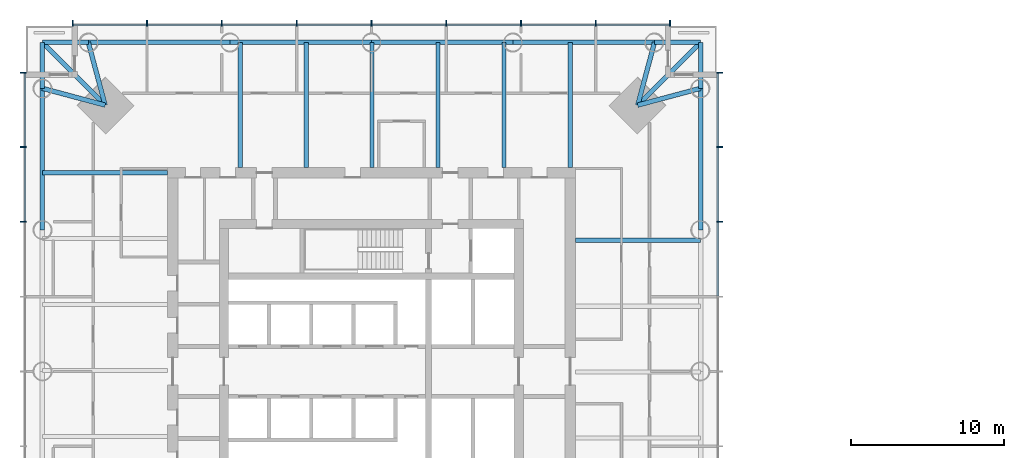
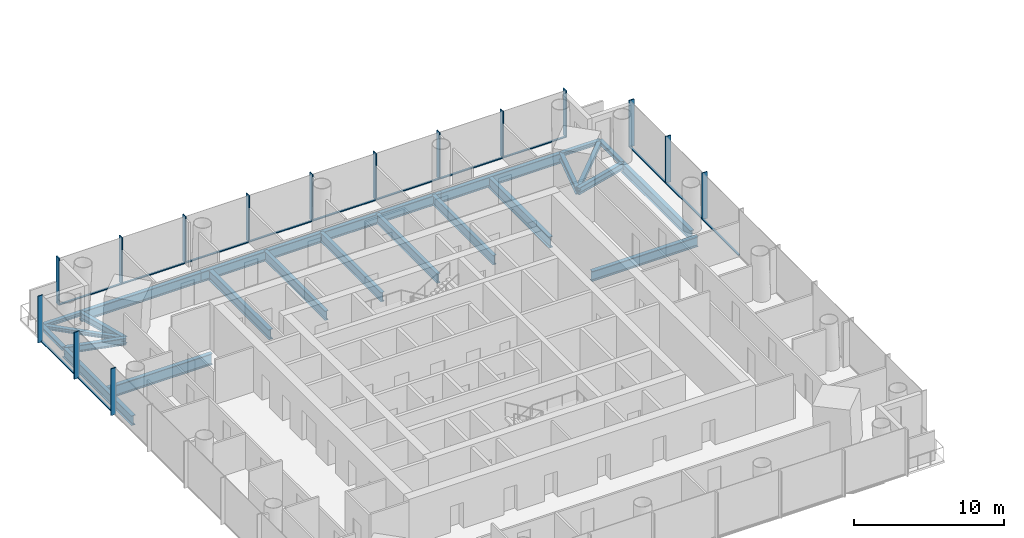
# One storey, part 3 of 20: 28 members, 24 beams, 3 elements without a shape of their own.
"""IFC4 building model written with IfcOpenShell, lengths in metres."""

from ifc_helpers import new_model, si_unit, direction, frame, origin, origin_2d, place, context, subcontext, project, spatial, rectangle, i_section, extrude, material, material_profile, profile_set, type_object, element, aggregate, save


model = new_model("IFC4")

# Units and contexts
model_context = context("Model", 3, precision=1e-05, world=origin(), true_north=direction((0.0, 1.0)))
body_context = subcontext(model_context, "Body", "Model", "MODEL_VIEW")
ifc_project = project(units=[si_unit("LENGTHUNIT", "METRE"), si_unit("AREAUNIT", "SQUARE_METRE"), si_unit("VOLUMEUNIT", "CUBIC_METRE"), si_unit("PLANEANGLEUNIT", "RADIAN"), si_unit("MASSUNIT", "GRAM", prefix="KILO")], contexts=[model_context])

# Site, building, storey
site_placement = place(None, origin())
site = spatial("IfcSite", under=ifc_project, at=site_placement, CompositionType="ELEMENT")
building_placement = place(site_placement, origin())
building = spatial("IfcBuilding", under=site, at=building_placement, Name="Ostroluk Exchange", CompositionType="ELEMENT")
storey_placement = place(building_placement, frame((0.0, 0.0, 100.800048828125)))
storey = spatial("IfcBuildingStorey", under=building, at=storey_placement, Name="L25", CompositionType="ELEMENT", Elevation=100.800048828125)

# Beams
ifc_material_1 = material(Name="Steel S355", Category="steel")
ifc_material_profile_1 = material_profile(ifc_material_1, i_section(OverallWidth=0.300048828125, OverallDepth=0.300048828125, WebThickness=0.010986328125, FlangeThickness=0.01904296875, FilletRadius=0.027099609375, at=origin_2d()), Name="HEB 300")
ifc_profile_set_1 = profile_set([ifc_material_profile_1], Name="Steel S355")
beam_type_1 = type_object("IfcBeamType", Name="Balcony beam HEB 300", PredefinedType="BEAM", material=ifc_profile_set_1)
for number, where, z_axis, x_axis, name in (
    (1, (66.449951171875, 64.449951171875, -0.330078125), (0.0, 1.0, 0.0), (-1.0, 0.0, 0.0), "T1 east balcony beam a"),
    (2, (63.449951171875, 67.449951171875, -0.330078125), (1.0, 0.0, 0.0), (0.0, 1.0, 0.0), "T1 east balcony beam b"),
):
    element("IfcBeam", number, at=place(storey_placement, frame(where, z_axis=z_axis, x_axis=x_axis)), inside=storey, type_object=beam_type_1, Name=name, PredefinedType="BEAM", context=body_context, shape_type="SweptSolid", body=[
        extrude(i_section(OverallWidth=0.300048828125, OverallDepth=0.300048828125, WebThickness=0.010986328125, FlangeThickness=0.01904296875, FilletRadius=0.027099609375, at=origin_2d()), origin(), (0.0, 0.0, 1.0), 3.0),
    ])
beam_1_placement = place(storey_placement, frame((62.35009765625, 63.35009765625, -0.330078125), z_axis=(0.707106781187, 0.707106781187, 0.0), x_axis=(-0.707106781187, 0.707106781187, 0.0)))
element("IfcBeam", 3, at=beam_1_placement, inside=storey, type_object=beam_type_1, Name="T1 east balcony beam c", PredefinedType="BEAM", context=body_context, shape_type="SweptSolid", body=[
    extrude(i_section(OverallWidth=0.300048828125, OverallDepth=0.300048828125, WebThickness=0.010986328125, FlangeThickness=0.01904296875, FilletRadius=0.027099609375, at=origin_2d()), origin(), (0.0, 0.0, 1.0), 5.798095703125),
])
for number, where, z_axis, x_axis, name in (
    (4, (26.550048828125, 67.449951171875, -0.330078125), (-1.0, 0.0, 0.0), (0.0, -1.0, 0.0), "T1 north balcony beam a"),
    (5, (23.550048828125, 64.449951171875, -0.330078125), (0.0, 1.0, 0.0), (-1.0, 0.0, 0.0), "T1 north balcony beam b"),
):
    element("IfcBeam", number, at=place(storey_placement, frame(where, z_axis=z_axis, x_axis=x_axis)), inside=storey, type_object=beam_type_1, Name=name, PredefinedType="BEAM", context=body_context, shape_type="SweptSolid", body=[
        extrude(i_section(OverallWidth=0.300048828125, OverallDepth=0.300048828125, WebThickness=0.010986328125, FlangeThickness=0.01904296875, FilletRadius=0.027099609375, at=origin_2d()), origin(), (0.0, 0.0, 1.0), 3.0),
    ])
beam_2_placement = place(storey_placement, frame((27.64990234375, 63.35009765625, -0.330078125), z_axis=(-0.707106781187, 0.707106781187, 0.0), x_axis=(-0.707106781187, -0.707106781187, 0.0)))
element("IfcBeam", 6, at=beam_2_placement, inside=storey, type_object=beam_type_1, Name="T1 north balcony beam c", PredefinedType="BEAM", context=body_context, shape_type="SweptSolid", body=[
    extrude(i_section(OverallWidth=0.300048828125, OverallDepth=0.300048828125, WebThickness=0.010986328125, FlangeThickness=0.01904296875, FilletRadius=0.027099609375, at=origin_2d()), origin(), (0.0, 0.0, 1.0), 5.798095703125),
])
ifc_material_2 = material(Name="Steel S355", Category="steel")
ifc_material_profile_2 = material_profile(ifc_material_2, i_section(OverallWidth=0.300048828125, OverallDepth=0.550048828125, WebThickness=0.014892578125, FlangeThickness=0.029052734375, FilletRadius=0.027099609375, at=origin_2d()), Name="HEB 550")
ifc_profile_set_2 = profile_set([ifc_material_profile_2], Name="Steel S355")
beam_type_2 = type_object("IfcBeamType", Name="Corner edge beam HEB 550", PredefinedType="SPANDREL", material=ifc_profile_set_2)
for number, where, z_axis, x_axis, name in (
    (7, (62.35009765625, 63.35009765625, -0.455078125), (0.965849156574, 0.259105011038, 0.0), (-0.259105011038, 0.965849156574, 0.0), "T1 east corner edge beam a"),
    (8, (62.35009765625, 63.35009765625, -0.455078125), (0.259105011038, 0.965849156574, 0.0), (-0.965849156574, 0.259105011038, 0.0), "T1 east corner edge beam b"),
    (9, (27.64990234375, 63.35009765625, -0.455078125), (-0.259105011038, 0.965849156574, 0.0), (-0.965849156574, -0.259105011038, 0.0), "T1 north corner edge beam a"),
    (10, (27.64990234375, 63.35009765625, -0.455078125), (-0.965849156574, 0.259105011038, 0.0), (-0.259105011038, -0.965849156574, 0.0), "T1 north corner edge beam b"),
):
    element("IfcBeam", number, at=place(storey_placement, frame(where, z_axis=z_axis, x_axis=x_axis)), inside=storey, type_object=beam_type_2, Name=name, PredefinedType="SPANDREL", context=body_context, shape_type="SweptSolid", body=[
        extrude(i_section(OverallWidth=0.300048828125, OverallDepth=0.550048828125, WebThickness=0.014892578125, FlangeThickness=0.029052734375, FilletRadius=0.027099609375, at=origin_2d()), origin(), (0.0, 0.0, 1.0), 4.244873046875),
    ])
ifc_material_3 = material(Name="Steel S355", Category="steel")
ifc_material_profile_3 = material_profile(ifc_material_3, i_section(OverallWidth=0.302978515625, OverallDepth=0.81396484375, WebThickness=0.02099609375, FlangeThickness=0.0400390625, FilletRadius=0.030029296875, at=origin_2d()), Name="HEM 800")
ifc_profile_set_3 = profile_set([ifc_material_profile_3], Name="Steel S355")
beam_type_3 = type_object("IfcBeamType", Name="Floor beam HEM 800", PredefinedType="BEAM", material=ifc_profile_set_3)
for number, where, z_axis, x_axis, name in (
    (11, (58.300048828125, 54.550048828125, -0.587158203125), (1.0, 0.0, 0.0), (0.0, 1.0, 0.0), "T1 east floor beam 5"),
    (12, (36.449951171875, 59.300048828125, -0.587158203125), (0.0, 1.0, 0.0), (-1.0, 0.0, 0.0), "T1 north floor beam 5"),
):
    element("IfcBeam", number, at=place(storey_placement, frame(where, z_axis=z_axis, x_axis=x_axis)), inside=storey, type_object=beam_type_3, Name=name, PredefinedType="BEAM", context=body_context, shape_type="SweptSolid", body=[
        extrude(i_section(OverallWidth=0.302978515625, OverallDepth=0.81396484375, WebThickness=0.02099609375, FlangeThickness=0.0400390625, FilletRadius=0.030029296875, at=origin_2d()), origin(), (0.0, 0.0, 1.0), 8.14990234375),
    ])
ifc_material_4 = material(Name="Steel S355", Category="steel")
ifc_material_profile_4 = material_profile(ifc_material_4, i_section(OverallWidth=0.26708984375, OverallDepth=0.761962890625, WebThickness=0.014404296875, FlangeThickness=0.021484375, FilletRadius=0.01708984375, at=origin_2d()), Name="IPE 750x173")
ifc_profile_set_4 = profile_set([ifc_material_profile_4], Name="Steel S355")
beam_type_4 = type_object("IfcBeamType", Name="Floor beam IPE 750x173", PredefinedType="BEAM", material=ifc_profile_set_4)
for number, where, z_axis, x_axis, name in (
    (13, (53.64990234375, 59.300048828125, -0.56103515625), (0.0, 1.0, 0.0), (-1.0, 0.0, 0.0), "T1 north floor beam 1"),
    (14, (49.35009765625, 59.300048828125, -0.56103515625), (0.0, 1.0, 0.0), (-1.0, 0.0, 0.0), "T1 north floor beam 2"),
    (15, (45.050048828125, 59.300048828125, -0.56103515625), (0.0, 1.0, 0.0), (-1.0, 0.0, 0.0), "T1 north floor beam 3"),
    (16, (40.75, 59.300048828125, -0.56103515625), (0.0, 1.0, 0.0), (-1.0, 0.0, 0.0), "T1 north floor beam 4"),
):
    element("IfcBeam", number, at=place(storey_placement, frame(where, z_axis=z_axis, x_axis=x_axis)), inside=storey, type_object=beam_type_4, Name=name, PredefinedType="BEAM", context=body_context, shape_type="SweptSolid", body=[
        extrude(i_section(OverallWidth=0.26708984375, OverallDepth=0.761962890625, WebThickness=0.014404296875, FlangeThickness=0.021484375, FilletRadius=0.01708984375, at=origin_2d()), origin(), (0.0, 0.0, 1.0), 8.14990234375),
    ])
ifc_material_5 = material(Name="Steel S355", Category="steel")
ifc_material_profile_5 = material_profile(ifc_material_5, i_section(OverallWidth=0.300048828125, OverallDepth=0.89990234375, WebThickness=0.0185546875, FlangeThickness=0.034912109375, FilletRadius=0.030029296875, at=origin_2d()), Name="HEB 900")
ifc_profile_set_5 = profile_set([ifc_material_profile_5], Name="Steel S355")
beam_type_5 = type_object("IfcBeamType", Name="Girder HEB 900", PredefinedType="BEAM", material=ifc_profile_set_5)
for number, where, z_axis, x_axis, name in (
    (17, (57.949951171875, 59.300048828125, -0.630126953125), (0.0, 1.0, 0.0), (-1.0, 0.0, 0.0), "T1 east girder"),
    (18, (31.699951171875, 58.949951171875, -0.630126953125), (-1.0, 0.0, 0.0), (0.0, -1.0, 0.0), "T1 north girder"),
):
    element("IfcBeam", number, at=place(storey_placement, frame(where, z_axis=z_axis, x_axis=x_axis)), inside=storey, type_object=beam_type_5, Name=name, PredefinedType="BEAM", context=body_context, shape_type="SweptSolid", body=[
        extrude(i_section(OverallWidth=0.300048828125, OverallDepth=0.89990234375, WebThickness=0.0185546875, FlangeThickness=0.034912109375, FilletRadius=0.030029296875, at=origin_2d()), origin(), (0.0, 0.0, 1.0), 8.14990234375),
    ])
ifc_material_6 = material(Name="Steel S355", Category="steel")
ifc_material_profile_6 = material_profile(ifc_material_6, i_section(OverallWidth=0.300048828125, OverallDepth=0.800048828125, WebThickness=0.017578125, FlangeThickness=0.032958984375, FilletRadius=0.030029296875, at=origin_2d()), Name="HEB 800")
ifc_profile_set_6 = profile_set([ifc_material_profile_6], Name="Steel S355")
beam_type_6 = type_object("IfcBeamType", Name="Moment-connected edge beam HEB 800", PredefinedType="SPANDREL", material=ifc_profile_set_6)
for number, where, z_axis, x_axis, name in (
    (19, (66.449951171875, 55.22509765625, -0.580078125), (0.0, 1.0, 0.0), (-1.0, 0.0, 0.0), "T1 east edge beam 4"),
    (20, (63.449951171875, 67.449951171875, -0.580078125), (-1.0, 0.0, 0.0), (0.0, -1.0, 0.0), "T1 north edge beam 1"),
):
    element("IfcBeam", number, at=place(storey_placement, frame(where, z_axis=z_axis, x_axis=x_axis)), inside=storey, type_object=beam_type_6, Name=name, PredefinedType="SPANDREL", context=body_context, shape_type="SweptSolid", body=[
        extrude(i_section(OverallWidth=0.300048828125, OverallDepth=0.800048828125, WebThickness=0.017578125, FlangeThickness=0.032958984375, FilletRadius=0.030029296875, at=origin_2d()), origin(), (0.0, 0.0, 1.0), 9.224853515625),
    ])
for number, where, z_axis, x_axis, name in (
    (21, (54.22509765625, 67.449951171875, -0.580078125), (-1.0, 0.0, 0.0), (0.0, -1.0, 0.0), "T1 north edge beam 2"),
    (22, (45.0, 67.449951171875, -0.580078125), (-1.0, 0.0, 0.0), (0.0, -1.0, 0.0), "T1 north edge beam 3"),
):
    element("IfcBeam", number, at=place(storey_placement, frame(where, z_axis=z_axis, x_axis=x_axis)), inside=storey, type_object=beam_type_6, Name=name, PredefinedType="SPANDREL", context=body_context, shape_type="SweptSolid", body=[
        extrude(i_section(OverallWidth=0.300048828125, OverallDepth=0.800048828125, WebThickness=0.017578125, FlangeThickness=0.032958984375, FilletRadius=0.030029296875, at=origin_2d()), origin(), (0.0, 0.0, 1.0), 9.22509765625),
    ])
for number, where, z_axis, x_axis, name in (
    (23, (35.77490234375, 67.449951171875, -0.580078125), (-1.0, 0.0, 0.0), (0.0, -1.0, 0.0), "T1 north edge beam 4"),
    (24, (23.550048828125, 64.449951171875, -0.580078125), (0.0, -1.0, 0.0), (1.0, 0.0, 0.0), "T1 west edge beam 1"),
):
    element("IfcBeam", number, at=place(storey_placement, frame(where, z_axis=z_axis, x_axis=x_axis)), inside=storey, type_object=beam_type_6, Name=name, PredefinedType="SPANDREL", context=body_context, shape_type="SweptSolid", body=[
        extrude(i_section(OverallWidth=0.300048828125, OverallDepth=0.800048828125, WebThickness=0.017578125, FlangeThickness=0.032958984375, FilletRadius=0.030029296875, at=origin_2d()), origin(), (0.0, 0.0, 1.0), 9.224853515625),
    ])

# Curtain wall, members
ifc_material_7 = material(Name="Laminated clear glass", Category="glass")
curtain_wall_type = type_object("IfcCurtainWallType", Name="Office tower facade", PredefinedType="USERDEFINED", material=ifc_material_7)
curtain_wall_1_placement = place(storey_placement, origin())
curtain_wall_1 = element("IfcCurtainWall", 25, at=curtain_wall_1_placement, inside=storey, type_object=curtain_wall_type, Name="Office tower east facade L25", ObjectType="UNITISED CURTAIN WALL", PredefinedType="USERDEFINED")
ifc_material_8 = material(Name="Aluminium mullion", Category="aluminium")
ifc_material_profile_7 = material_profile(ifc_material_8, rectangle(XDim=0.14990234375, YDim=0.080078125, at=origin_2d()), Name="Sill transom 80 x 150")
ifc_profile_set_7 = profile_set([ifc_material_profile_7], Name="Aluminium mullion")
member_type_1 = type_object("IfcMemberType", Name="Sill transom 80 x 150", PredefinedType="USERDEFINED", material=ifc_profile_set_7)
member_1_placement = place(storey_placement, frame((67.574951171875, 50.9150390625, 0.0400390625), z_axis=(0.0, 1.0, 0.0), x_axis=(-1.0, 0.0, 0.0)))
member_1 = element("IfcMember", 26, at=member_1_placement, type_object=member_type_1, Name="CW-O1 transom 6.1", ObjectType="TRANSOM", PredefinedType="USERDEFINED", context=body_context, shape_type="SweptSolid", body=[
    extrude(rectangle(XDim=0.14990234375, YDim=0.080078125, at=origin_2d()), origin(), (0.0, 0.0, 1.0), 4.794921875),
])
member_2_placement = place(storey_placement, frame((67.574951171875, 55.7900390625, 0.0400390625), z_axis=(0.0, 1.0, 0.0), x_axis=(-1.0, 0.0, 0.0)))
member_2 = element("IfcMember", 27, at=member_2_placement, type_object=member_type_1, Name="CW-O1 transom 7.1", ObjectType="TRANSOM", PredefinedType="USERDEFINED", context=body_context, shape_type="SweptSolid", body=[
    extrude(rectangle(XDim=0.14990234375, YDim=0.080078125, at=origin_2d()), origin(), (0.0, 0.0, 1.0), 4.794921875),
])
member_3_placement = place(storey_placement, frame((67.574951171875, 60.6650390625, 0.0400390625), z_axis=(0.0, 1.0, 0.0), x_axis=(-1.0, 0.0, 0.0)))
member_3 = element("IfcMember", 28, at=member_3_placement, type_object=member_type_1, Name="CW-O1 transom 8.1", ObjectType="TRANSOM", PredefinedType="USERDEFINED", context=body_context, shape_type="SweptSolid", body=[
    extrude(rectangle(XDim=0.14990234375, YDim=0.080078125, at=origin_2d()), origin(), (0.0, 0.0, 1.0), 4.7548828125),
])

curtain_wall_2_placement = place(storey_placement, origin())
curtain_wall_2 = element("IfcCurtainWall", 29, at=curtain_wall_2_placement, inside=storey, type_object=curtain_wall_type, Name="Office tower north facade L25", ObjectType="UNITISED CURTAIN WALL", PredefinedType="USERDEFINED")
member_4_placement = place(storey_placement, frame((64.419921875, 68.574951171875, 0.0400390625), z_axis=(-1.0, 0.0, 0.0), x_axis=(0.0, -1.0, 0.0)))
member_4 = element("IfcMember", 30, at=member_4_placement, type_object=member_type_1, Name="CW-O1 transom 1.1", ObjectType="TRANSOM", PredefinedType="USERDEFINED", context=body_context, shape_type="SweptSolid", body=[
    extrude(rectangle(XDim=0.14990234375, YDim=0.080078125, at=origin_2d()), origin(), (0.0, 0.0, 1.0), 4.7548828125),
])
member_5_placement = place(storey_placement, frame((59.5849609375, 68.574951171875, 0.0400390625), z_axis=(-1.0, 0.0, 0.0), x_axis=(0.0, -1.0, 0.0)))
member_5 = element("IfcMember", 31, at=member_5_placement, type_object=member_type_1, Name="CW-O1 transom 2.1", ObjectType="TRANSOM", PredefinedType="USERDEFINED", context=body_context, shape_type="SweptSolid", body=[
    extrude(rectangle(XDim=0.14990234375, YDim=0.080078125, at=origin_2d()), origin(), (0.0, 0.0, 1.0), 4.794921875),
])
member_6_placement = place(storey_placement, frame((54.7099609375, 68.574951171875, 0.0400390625), z_axis=(-1.0, 0.0, 0.0), x_axis=(0.0, -1.0, 0.0)))
member_6 = element("IfcMember", 32, at=member_6_placement, type_object=member_type_1, Name="CW-O1 transom 3.1", ObjectType="TRANSOM", PredefinedType="USERDEFINED", context=body_context, shape_type="SweptSolid", body=[
    extrude(rectangle(XDim=0.14990234375, YDim=0.080078125, at=origin_2d()), origin(), (0.0, 0.0, 1.0), 4.794921875),
])
member_7_placement = place(storey_placement, frame((49.8349609375, 68.574951171875, 0.0400390625), z_axis=(-1.0, 0.0, 0.0), x_axis=(0.0, -1.0, 0.0)))
member_7 = element("IfcMember", 33, at=member_7_placement, type_object=member_type_1, Name="CW-O1 transom 4.1", ObjectType="TRANSOM", PredefinedType="USERDEFINED", context=body_context, shape_type="SweptSolid", body=[
    extrude(rectangle(XDim=0.14990234375, YDim=0.080078125, at=origin_2d()), origin(), (0.0, 0.0, 1.0), 4.794921875),
])
member_8_placement = place(storey_placement, frame((44.9599609375, 68.574951171875, 0.0400390625), z_axis=(-1.0, 0.0, 0.0), x_axis=(0.0, -1.0, 0.0)))
member_8 = element("IfcMember", 34, at=member_8_placement, type_object=member_type_1, Name="CW-O1 transom 5.1", ObjectType="TRANSOM", PredefinedType="USERDEFINED", context=body_context, shape_type="SweptSolid", body=[
    extrude(rectangle(XDim=0.14990234375, YDim=0.080078125, at=origin_2d()), origin(), (0.0, 0.0, 1.0), 4.794921875),
])
member_9_placement = place(storey_placement, frame((40.0849609375, 68.574951171875, 0.0400390625), z_axis=(-1.0, 0.0, 0.0), x_axis=(0.0, -1.0, 0.0)))
member_9 = element("IfcMember", 35, at=member_9_placement, type_object=member_type_1, Name="CW-O1 transom 6.1", ObjectType="TRANSOM", PredefinedType="USERDEFINED", context=body_context, shape_type="SweptSolid", body=[
    extrude(rectangle(XDim=0.14990234375, YDim=0.080078125, at=origin_2d()), origin(), (0.0, 0.0, 1.0), 4.794921875),
])
member_10_placement = place(storey_placement, frame((35.2099609375, 68.574951171875, 0.0400390625), z_axis=(-1.0, 0.0, 0.0), x_axis=(0.0, -1.0, 0.0)))
member_10 = element("IfcMember", 36, at=member_10_placement, type_object=member_type_1, Name="CW-O1 transom 7.1", ObjectType="TRANSOM", PredefinedType="USERDEFINED", context=body_context, shape_type="SweptSolid", body=[
    extrude(rectangle(XDim=0.14990234375, YDim=0.080078125, at=origin_2d()), origin(), (0.0, 0.0, 1.0), 4.794921875),
])
member_11_placement = place(storey_placement, frame((30.3349609375, 68.574951171875, 0.0400390625), z_axis=(-1.0, 0.0, 0.0), x_axis=(0.0, -1.0, 0.0)))
member_11 = element("IfcMember", 37, at=member_11_placement, type_object=member_type_1, Name="CW-O1 transom 8.1", ObjectType="TRANSOM", PredefinedType="USERDEFINED", context=body_context, shape_type="SweptSolid", body=[
    extrude(rectangle(XDim=0.14990234375, YDim=0.080078125, at=origin_2d()), origin(), (0.0, 0.0, 1.0), 4.7548828125),
])

curtain_wall_3_placement = place(storey_placement, origin())
curtain_wall_3 = element("IfcCurtainWall", 38, at=curtain_wall_3_placement, inside=storey, type_object=curtain_wall_type, Name="Office tower west facade L25", ObjectType="UNITISED CURTAIN WALL", PredefinedType="USERDEFINED")
member_12_placement = place(storey_placement, frame((22.425048828125, 65.419921875, 0.0400390625), z_axis=(0.0, -1.0, 0.0), x_axis=(1.0, 0.0, 0.0)))
member_12 = element("IfcMember", 39, at=member_12_placement, type_object=member_type_1, Name="CW-O1 transom 1.1", ObjectType="TRANSOM", PredefinedType="USERDEFINED", context=body_context, shape_type="SweptSolid", body=[
    extrude(rectangle(XDim=0.14990234375, YDim=0.080078125, at=origin_2d()), origin(), (0.0, 0.0, 1.0), 4.7548828125),
])
member_13_placement = place(storey_placement, frame((22.425048828125, 60.5849609375, 0.0400390625), z_axis=(0.0, -1.0, 0.0), x_axis=(1.0, 0.0, 0.0)))
member_13 = element("IfcMember", 40, at=member_13_placement, type_object=member_type_1, Name="CW-O1 transom 2.1", ObjectType="TRANSOM", PredefinedType="USERDEFINED", context=body_context, shape_type="SweptSolid", body=[
    extrude(rectangle(XDim=0.14990234375, YDim=0.080078125, at=origin_2d()), origin(), (0.0, 0.0, 1.0), 4.794921875),
])

# Member
ifc_material_9 = material(Name="Aluminium mullion with limestone facing", Category="masonry")
ifc_material_profile_8 = material_profile(ifc_material_9, rectangle(XDim=0.39990234375, YDim=0.080078125, at=origin_2d()), Name="Tracery mullion 80 x 400")
ifc_profile_set_8 = profile_set([ifc_material_profile_8], Name="Aluminium mullion with limestone facing")
member_type_2 = type_object("IfcMemberType", Name="Tracery mullion 80 x 400", PredefinedType="MULLION", material=ifc_profile_set_8)
member_14_placement = place(storey_placement, frame((67.699951171875, 55.75, 0.0), z_axis=(0.0, 0.0, 1.0), x_axis=(-1.0, 0.0, 0.0)))
member_14 = element("IfcMember", 41, at=member_14_placement, type_object=member_type_2, Name="CW-O1 mullion 7", PredefinedType="MULLION", context=body_context, shape_type="SweptSolid", body=[
    extrude(rectangle(XDim=0.39990234375, YDim=0.080078125, at=origin_2d()), origin(), (0.0, 0.0, 1.0), 3.800048828125),
])

member_15_placement = place(storey_placement, frame((67.699951171875, 60.625, 0.0), z_axis=(0.0, 0.0, 1.0), x_axis=(-1.0, 0.0, 0.0)))
member_15 = element("IfcMember", 42, at=member_15_placement, type_object=member_type_2, Name="CW-O1 mullion 8", PredefinedType="MULLION", context=body_context, shape_type="SweptSolid", body=[
    extrude(rectangle(XDim=0.39990234375, YDim=0.080078125, at=origin_2d()), origin(), (0.0, 0.0, 1.0), 3.800048828125),
])

member_16_placement = place(storey_placement, frame((67.699951171875, 65.4599609375, 0.0), z_axis=(0.0, 0.0, 1.0), x_axis=(-1.0, 0.0, 0.0)))
member_16 = element("IfcMember", 43, at=member_16_placement, type_object=member_type_2, Name="CW-O1 mullion 9", PredefinedType="MULLION", context=body_context, shape_type="SweptSolid", body=[
    extrude(rectangle(XDim=0.39990234375, YDim=0.080078125, at=origin_2d()), origin(), (0.0, 0.0, 1.0), 3.800048828125),
])

aggregate(curtain_wall_1, [member_14, member_15, member_16, member_1, member_2, member_3])

member_17_placement = place(storey_placement, frame((64.4599609375, 68.699951171875, 0.0), z_axis=(0.0, 0.0, 1.0), x_axis=(0.0, -1.0, 0.0)))
member_17 = element("IfcMember", 44, at=member_17_placement, type_object=member_type_2, Name="CW-O1 mullion 1", PredefinedType="MULLION", context=body_context, shape_type="SweptSolid", body=[
    extrude(rectangle(XDim=0.39990234375, YDim=0.080078125, at=origin_2d()), origin(), (0.0, 0.0, 1.0), 3.800048828125),
])

member_18_placement = place(storey_placement, frame((59.625, 68.699951171875, 0.0), z_axis=(0.0, 0.0, 1.0), x_axis=(0.0, -1.0, 0.0)))
member_18 = element("IfcMember", 45, at=member_18_placement, type_object=member_type_2, Name="CW-O1 mullion 2", PredefinedType="MULLION", context=body_context, shape_type="SweptSolid", body=[
    extrude(rectangle(XDim=0.39990234375, YDim=0.080078125, at=origin_2d()), origin(), (0.0, 0.0, 1.0), 3.800048828125),
])

member_19_placement = place(storey_placement, frame((54.75, 68.699951171875, 0.0), z_axis=(0.0, 0.0, 1.0), x_axis=(0.0, -1.0, 0.0)))
member_19 = element("IfcMember", 46, at=member_19_placement, type_object=member_type_2, Name="CW-O1 mullion 3", PredefinedType="MULLION", context=body_context, shape_type="SweptSolid", body=[
    extrude(rectangle(XDim=0.39990234375, YDim=0.080078125, at=origin_2d()), origin(), (0.0, 0.0, 1.0), 3.800048828125),
])

member_20_placement = place(storey_placement, frame((49.875, 68.699951171875, 0.0), z_axis=(0.0, 0.0, 1.0), x_axis=(0.0, -1.0, 0.0)))
member_20 = element("IfcMember", 47, at=member_20_placement, type_object=member_type_2, Name="CW-O1 mullion 4", PredefinedType="MULLION", context=body_context, shape_type="SweptSolid", body=[
    extrude(rectangle(XDim=0.39990234375, YDim=0.080078125, at=origin_2d()), origin(), (0.0, 0.0, 1.0), 3.800048828125),
])

member_21_placement = place(storey_placement, frame((45.0, 68.699951171875, 0.0), z_axis=(0.0, 0.0, 1.0), x_axis=(0.0, -1.0, 0.0)))
member_21 = element("IfcMember", 48, at=member_21_placement, type_object=member_type_2, Name="CW-O1 mullion 5", PredefinedType="MULLION", context=body_context, shape_type="SweptSolid", body=[
    extrude(rectangle(XDim=0.39990234375, YDim=0.080078125, at=origin_2d()), origin(), (0.0, 0.0, 1.0), 3.800048828125),
])

member_22_placement = place(storey_placement, frame((40.125, 68.699951171875, 0.0), z_axis=(0.0, 0.0, 1.0), x_axis=(0.0, -1.0, 0.0)))
member_22 = element("IfcMember", 49, at=member_22_placement, type_object=member_type_2, Name="CW-O1 mullion 6", PredefinedType="MULLION", context=body_context, shape_type="SweptSolid", body=[
    extrude(rectangle(XDim=0.39990234375, YDim=0.080078125, at=origin_2d()), origin(), (0.0, 0.0, 1.0), 3.800048828125),
])

member_23_placement = place(storey_placement, frame((35.25, 68.699951171875, 0.0), z_axis=(0.0, 0.0, 1.0), x_axis=(0.0, -1.0, 0.0)))
member_23 = element("IfcMember", 50, at=member_23_placement, type_object=member_type_2, Name="CW-O1 mullion 7", PredefinedType="MULLION", context=body_context, shape_type="SweptSolid", body=[
    extrude(rectangle(XDim=0.39990234375, YDim=0.080078125, at=origin_2d()), origin(), (0.0, 0.0, 1.0), 3.800048828125),
])

member_24_placement = place(storey_placement, frame((30.375, 68.699951171875, 0.0), z_axis=(0.0, 0.0, 1.0), x_axis=(0.0, -1.0, 0.0)))
member_24 = element("IfcMember", 51, at=member_24_placement, type_object=member_type_2, Name="CW-O1 mullion 8", PredefinedType="MULLION", context=body_context, shape_type="SweptSolid", body=[
    extrude(rectangle(XDim=0.39990234375, YDim=0.080078125, at=origin_2d()), origin(), (0.0, 0.0, 1.0), 3.800048828125),
])

member_25_placement = place(storey_placement, frame((25.5400390625, 68.699951171875, 0.0), z_axis=(0.0, 0.0, 1.0), x_axis=(0.0, -1.0, 0.0)))
member_25 = element("IfcMember", 52, at=member_25_placement, type_object=member_type_2, Name="CW-O1 mullion 9", PredefinedType="MULLION", context=body_context, shape_type="SweptSolid", body=[
    extrude(rectangle(XDim=0.39990234375, YDim=0.080078125, at=origin_2d()), origin(), (0.0, 0.0, 1.0), 3.800048828125),
])

aggregate(curtain_wall_2, [member_17, member_18, member_19, member_20, member_21, member_22, member_23, member_24, member_25, member_4, member_5, member_6, member_7, member_8, member_9, member_10, member_11])

member_26_placement = place(storey_placement, frame((22.300048828125, 65.4599609375, 0.0), z_axis=(0.0, 0.0, 1.0), x_axis=(1.0, 0.0, 0.0)))
member_26 = element("IfcMember", 53, at=member_26_placement, type_object=member_type_2, Name="CW-O1 mullion 1", PredefinedType="MULLION", context=body_context, shape_type="SweptSolid", body=[
    extrude(rectangle(XDim=0.39990234375, YDim=0.080078125, at=origin_2d()), origin(), (0.0, 0.0, 1.0), 3.800048828125),
])

member_27_placement = place(storey_placement, frame((22.300048828125, 60.625, 0.0), z_axis=(0.0, 0.0, 1.0), x_axis=(1.0, 0.0, 0.0)))
member_27 = element("IfcMember", 54, at=member_27_placement, type_object=member_type_2, Name="CW-O1 mullion 2", PredefinedType="MULLION", context=body_context, shape_type="SweptSolid", body=[
    extrude(rectangle(XDim=0.39990234375, YDim=0.080078125, at=origin_2d()), origin(), (0.0, 0.0, 1.0), 3.800048828125),
])

member_28_placement = place(storey_placement, frame((22.300048828125, 55.75, 0.0), z_axis=(0.0, 0.0, 1.0), x_axis=(1.0, 0.0, 0.0)))
member_28 = element("IfcMember", 55, at=member_28_placement, type_object=member_type_2, Name="CW-O1 mullion 3", PredefinedType="MULLION", context=body_context, shape_type="SweptSolid", body=[
    extrude(rectangle(XDim=0.39990234375, YDim=0.080078125, at=origin_2d()), origin(), (0.0, 0.0, 1.0), 3.800048828125),
])

aggregate(curtain_wall_3, [member_26, member_27, member_28, member_12, member_13])

save(model, "model.ifc")
